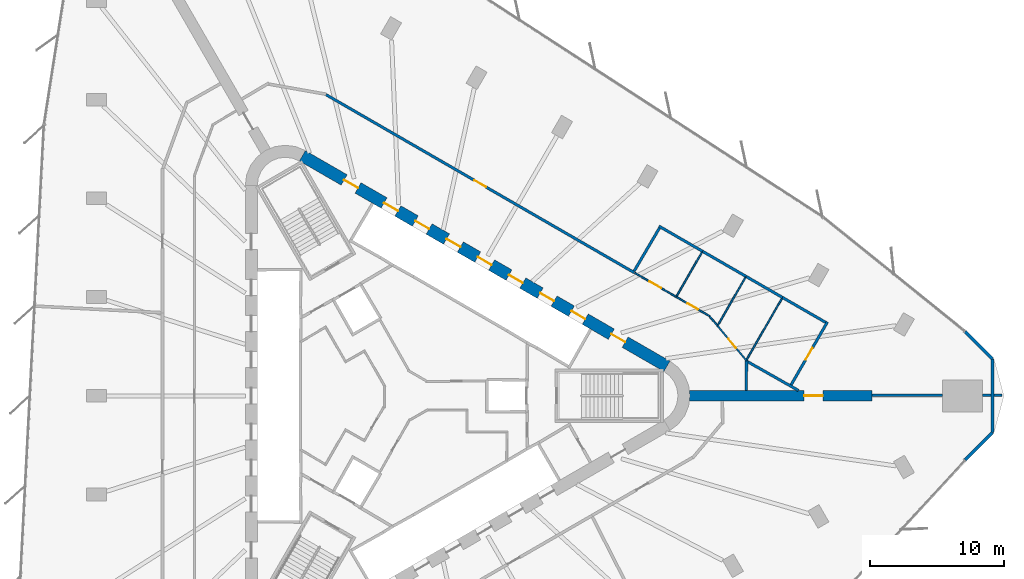
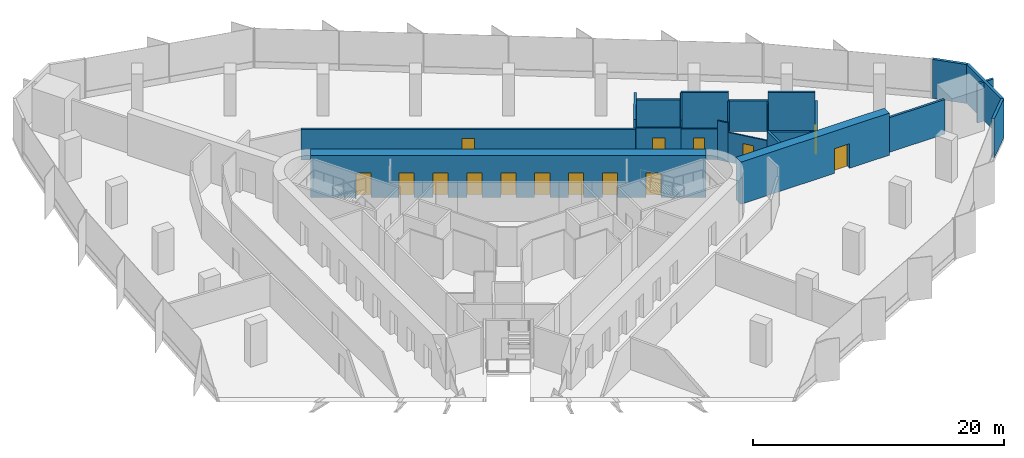
# One storey, part 12 of 14: 24 walls, 15 doors, 15 openings.
"""IFC4 building model written with IfcOpenShell, lengths in metres."""

from ifc_helpers import new_model, si_unit, direction, frame, frame_2d, origin, place, context, subcontext, project, spatial, rectangle, extrude, material, layer, layer_set, type_object, element, fill, save


model = new_model("IFC4")

# Units and contexts
model_context = context("Model", 3, precision=1e-05, world=origin(), true_north=direction((0.0, 1.0)))
body_context = subcontext(model_context, "Body", "Model", "MODEL_VIEW")
ifc_project = project(units=[si_unit("LENGTHUNIT", "METRE"), si_unit("AREAUNIT", "SQUARE_METRE"), si_unit("VOLUMEUNIT", "CUBIC_METRE"), si_unit("PLANEANGLEUNIT", "RADIAN"), si_unit("MASSUNIT", "GRAM", prefix="KILO")], contexts=[model_context])

# Site, building, storey
site_placement = place(None, origin())
site = spatial("IfcSite", under=ifc_project, at=site_placement, CompositionType="ELEMENT")
building_placement = place(site_placement, origin())
building = spatial("IfcBuilding", under=site, at=building_placement, Name="Tanit Gate Tower", CompositionType="ELEMENT")
storey_placement = place(building_placement, frame((0.0, 0.0, 74.199951171875)))
storey = spatial("IfcBuildingStorey", under=building, at=storey_placement, Name="L14", CompositionType="ELEMENT", Elevation=74.199951171875)

# Wall, opening, door
ifc_material_1 = material(Name="Concrete C60/75", Category="concrete")
ifc_layer_1 = layer(ifc_material_1, 0.800048828125)
ifc_layer_set_1 = layer_set([ifc_layer_1], Name="BUTTRESS FIN 800 C60/75")
wall_type_1 = type_object("IfcWallType", Name="BUTTRESS FIN 800 C60/75", PredefinedType="SHEAR", material=ifc_layer_set_1)
wall_1_placement = place(storey_placement, frame((21.14990234375, 0.0, 0.0), z_axis=(0.0, 0.0, 1.0), x_axis=(1.0, 0.0, 0.0)))
wall_1 = element("IfcWall", 1, at=wall_1_placement, inside=storey, type_object=wall_type_1, Name="BUTTRESS FIN", PredefinedType="SHEAR", context=body_context, shape_type="SweptSolid", body=[
    extrude(rectangle(XDim=13.669677734375, YDim=0.800048828125, at=frame_2d((6.8349609375, 0.0))), origin(), (0.0, 0.0, 1.0), 4.10009765625),
])
opening_1_placement = place(wall_1_placement, frame((8.60009765625, 0.0, 0.0)))
opening_1 = element("IfcOpeningElement", 2, at=opening_1_placement, cuts=wall_1, Name="Opening P14-S02-F-E-1", PredefinedType="OPENING", context=body_context, shape_type="SweptSolid", body=[
    extrude(rectangle(XDim=1.39990234375, YDim=2.39990234375, at=frame_2d((0.699951171875, 1.199951171875))), frame((0.0, 0.41015625, 0.0), z_axis=(0.0, -1.0, 0.0), x_axis=(1.0, 0.0, 0.0)), (0.0, 0.0, 1.0), 0.820068359375),
])
ifc_material_2 = material(Name="Timber door leaf", Category="wood")
door_type_1 = type_object("IfcDoorType", Name="INT-DOOR-FIN-PAIR-1400", OperationType="NOTDEFINED", PredefinedType="NOTDEFINED", material=ifc_material_2)
door_1_placement = place(opening_1_placement, origin())
door_1 = element("IfcDoor", 3, at=door_1_placement, inside=storey, type_object=door_type_1, Name="Door P14-S02-F-E-1", OperationType="DOUBLE_DOOR_SINGLE_SWING", OverallHeight=2.39990234375, OverallWidth=1.39990234375, PredefinedType="NOTDEFINED", context=body_context, shape_type="SweptSolid", body=[
    extrude(rectangle(XDim=1.39990234375, YDim=2.39990234375, at=frame_2d((0.699951171875, 1.199951171875))), frame((0.0, 0.02490234375, 0.0), z_axis=(0.0, -1.0, 0.0), x_axis=(1.0, 0.0, 0.0)), (0.0, 0.0, 1.0), 0.050048828125),
])
fill(opening_1, door_1)

# Wall, openings, doors
ifc_material_3 = material(Name="Concrete C60/75", Category="concrete")
ifc_layer_2 = layer(ifc_material_3, 0.89990234375)
ifc_layer_set_2 = layer_set([ifc_layer_2], Name="CORE WALL 900 C60/75")
wall_type_2 = type_object("IfcWallType", Name="CORE WALL 900 C60/75", PredefinedType="SHEAR", material=ifc_layer_set_2)
wall_2_placement = place(storey_placement, frame((19.47509765625, 2.20849609375, 0.0), z_axis=(0.0, 0.0, 1.0), x_axis=(-0.866028369851, 0.499994862586, 0.0)))
wall_2 = element("IfcWall", 4, at=wall_2_placement, inside=storey, type_object=wall_type_2, Name="CORE WALL", PredefinedType="SHEAR", context=body_context, shape_type="SweptSolid", body=[
    extrude(rectangle(XDim=31.523193359375, YDim=0.89990234375, at=frame_2d((15.76171875, 0.0))), origin(), (0.0, 0.0, 1.0), 4.10009765625),
])
opening_2_placement = place(wall_2_placement, frame((7.0615234375, 0.0, 0.0)))
opening_2 = element("IfcOpeningElement", 5, at=opening_2_placement, cuts=wall_2, Name="Opening LDLL8-S02", PredefinedType="OPENING", context=body_context, shape_type="SweptSolid", body=[
    extrude(rectangle(XDim=1.199951171875, YDim=2.39990234375, at=frame_2d((0.60009765625, 1.199951171875))), frame((0.0, 0.4599609375, 0.0), z_axis=(0.0, -1.0, 0.0), x_axis=(1.0, 0.0, 0.0)), (0.0, 0.0, 1.0), 0.919921875),
])
opening_3_placement = place(wall_2_placement, frame((9.76171875, 0.0, 0.0)))
opening_3 = element("IfcOpeningElement", 6, at=opening_3_placement, cuts=wall_2, Name="Opening LDLL9-S02", PredefinedType="OPENING", context=body_context, shape_type="SweptSolid", body=[
    extrude(rectangle(XDim=1.199951171875, YDim=2.39990234375, at=frame_2d((0.60009765625, 1.199951171875))), frame((0.0, 0.4599609375, 0.0), z_axis=(0.0, -1.0, 0.0), x_axis=(1.0, 0.0, 0.0)), (0.0, 0.0, 1.0), 0.919921875),
])
opening_4_placement = place(wall_2_placement, frame((12.461669921875, 0.0, 0.0)))
opening_4 = element("IfcOpeningElement", 7, at=opening_4_placement, cuts=wall_2, Name="Opening LDLL10-S02", PredefinedType="OPENING", context=body_context, shape_type="SweptSolid", body=[
    extrude(rectangle(XDim=1.199951171875, YDim=2.39990234375, at=frame_2d((0.60009765625, 1.199951171875))), frame((0.0, 0.4599609375, 0.0), z_axis=(0.0, -1.0, 0.0), x_axis=(1.0, 0.0, 0.0)), (0.0, 0.0, 1.0), 0.919921875),
])
opening_5_placement = place(wall_2_placement, frame((15.16162109375, 0.0, 0.0)))
opening_5 = element("IfcOpeningElement", 8, at=opening_5_placement, cuts=wall_2, Name="Opening LDSL1-S02", PredefinedType="OPENING", context=body_context, shape_type="SweptSolid", body=[
    extrude(rectangle(XDim=1.199951171875, YDim=2.39990234375, at=frame_2d((0.60009765625, 1.199951171875))), frame((0.0, 0.4599609375, 0.0), z_axis=(0.0, -1.0, 0.0), x_axis=(1.0, 0.0, 0.0)), (0.0, 0.0, 1.0), 0.919921875),
])
opening_6_placement = place(wall_2_placement, frame((17.861572265625, 0.0, 0.0)))
opening_6 = element("IfcOpeningElement", 9, at=opening_6_placement, cuts=wall_2, Name="Opening LDSL2-S02", PredefinedType="OPENING", context=body_context, shape_type="SweptSolid", body=[
    extrude(rectangle(XDim=1.199951171875, YDim=2.39990234375, at=frame_2d((0.60009765625, 1.199951171875))), frame((0.0, 0.4599609375, 0.0), z_axis=(0.0, -1.0, 0.0), x_axis=(1.0, 0.0, 0.0)), (0.0, 0.0, 1.0), 0.919921875),
])
opening_7_placement = place(wall_2_placement, frame((20.5615234375, 0.0, 0.0)))
opening_7 = element("IfcOpeningElement", 10, at=opening_7_placement, cuts=wall_2, Name="Opening LDSL3-S02", PredefinedType="OPENING", context=body_context, shape_type="SweptSolid", body=[
    extrude(rectangle(XDim=1.199951171875, YDim=2.39990234375, at=frame_2d((0.60009765625, 1.199951171875))), frame((0.0, 0.4599609375, 0.0), z_axis=(0.0, -1.0, 0.0), x_axis=(1.0, 0.0, 0.0)), (0.0, 0.0, 1.0), 0.919921875),
])
opening_8_placement = place(wall_2_placement, frame((23.26171875, 0.0, 0.0)))
opening_8 = element("IfcOpeningElement", 11, at=opening_8_placement, cuts=wall_2, Name="Opening LDSL4-S02", PredefinedType="OPENING", context=body_context, shape_type="SweptSolid", body=[
    extrude(rectangle(XDim=1.199951171875, YDim=2.39990234375, at=frame_2d((0.60009765625, 1.199951171875))), frame((0.0, 0.4599609375, 0.0), z_axis=(0.0, -1.0, 0.0), x_axis=(1.0, 0.0, 0.0)), (0.0, 0.0, 1.0), 0.919921875),
])
opening_9_placement = place(wall_2_placement, frame((3.611572265625, 0.0, 0.0)))
opening_9 = element("IfcOpeningElement", 12, at=opening_9_placement, cuts=wall_2, Name="Opening F12-S02-FL1", PredefinedType="OPENING", context=body_context, shape_type="SweptSolid", body=[
    extrude(rectangle(XDim=1.199951171875, YDim=2.39990234375, at=frame_2d((0.60009765625, 1.199951171875))), frame((0.0, 0.4599609375, 0.0), z_axis=(0.0, -1.0, 0.0), x_axis=(1.0, 0.0, 0.0)), (0.0, 0.0, 1.0), 0.919921875),
])
opening_10_placement = place(wall_2_placement, frame((26.711669921875, 0.0, 0.0)))
opening_10 = element("IfcOpeningElement", 13, at=opening_10_placement, cuts=wall_2, Name="Opening F12-S02-S2", PredefinedType="OPENING", context=body_context, shape_type="SweptSolid", body=[
    extrude(rectangle(XDim=1.199951171875, YDim=2.39990234375, at=frame_2d((0.60009765625, 1.199951171875))), frame((0.0, 0.4599609375, 0.0), z_axis=(0.0, -1.0, 0.0), x_axis=(1.0, 0.0, 0.0)), (0.0, 0.0, 1.0), 0.919921875),
])
ifc_material_4 = material(Name="Fire-rated steel door leaf", Category="steel")
door_type_2 = type_object("IfcDoorType", Name="INT-DOOR-FIRE-LOBBY-1200", OperationType="NOTDEFINED", PredefinedType="USERDEFINED", material=ifc_material_4)
door_2_placement = place(opening_9_placement, origin())
door_2 = element("IfcDoor", 14, at=door_2_placement, inside=storey, type_object=door_type_2, Name="Door F12-S02-FL1", ObjectType="FIRE DOOR", OperationType="SINGLE_SWING_LEFT", OverallHeight=2.39990234375, OverallWidth=1.199951171875, PredefinedType="USERDEFINED", context=body_context, shape_type="SweptSolid", body=[
    extrude(rectangle(XDim=1.199951171875, YDim=2.39990234375, at=frame_2d((0.60009765625, 1.199951171875))), frame((0.0, 0.02490234375, 0.0), z_axis=(0.0, -1.0, 0.0), x_axis=(1.0, 0.0, 0.0)), (0.0, 0.0, 1.0), 0.050048828125),
])
fill(opening_9, door_2)
door_3_placement = place(opening_10_placement, origin())
door_3 = element("IfcDoor", 15, at=door_3_placement, inside=storey, type_object=door_type_2, Name="Door F12-S02-S2", ObjectType="FIRE DOOR", OperationType="SINGLE_SWING_RIGHT", OverallHeight=2.39990234375, OverallWidth=1.199951171875, PredefinedType="USERDEFINED", context=body_context, shape_type="SweptSolid", body=[
    extrude(rectangle(XDim=1.199951171875, YDim=2.39990234375, at=frame_2d((0.60009765625, 1.199951171875))), frame((0.0, 0.02490234375, 0.0), z_axis=(0.0, -1.0, 0.0), x_axis=(1.0, 0.0, 0.0)), (0.0, 0.0, 1.0), 0.050048828125),
])
fill(opening_10, door_3)
ifc_material_5 = material(Name="Stainless steel sliding door leaf", Category="steel")
door_type_3 = type_object("IfcDoorType", Name="INT-DOOR-LANDING-1200", OperationType="NOTDEFINED", PredefinedType="USERDEFINED", material=ifc_material_5)
door_4_placement = place(opening_2_placement, origin())
door_4 = element("IfcDoor", 16, at=door_4_placement, inside=storey, type_object=door_type_3, Name="Door LDLL8-S02", ObjectType="LANDING DOOR", OperationType="SLIDING_TO_LEFT", OverallHeight=2.39990234375, OverallWidth=1.199951171875, PredefinedType="USERDEFINED", context=body_context, shape_type="SweptSolid", body=[
    extrude(rectangle(XDim=1.199951171875, YDim=2.39990234375, at=frame_2d((0.60009765625, 1.199951171875))), frame((0.0, 0.02490234375, 0.0), z_axis=(0.0, -1.0, 0.0), x_axis=(1.0, 0.0, 0.0)), (0.0, 0.0, 1.0), 0.050048828125),
])
fill(opening_2, door_4)
door_5_placement = place(opening_3_placement, origin())
door_5 = element("IfcDoor", 17, at=door_5_placement, inside=storey, type_object=door_type_3, Name="Door LDLL9-S02", ObjectType="LANDING DOOR", OperationType="SLIDING_TO_LEFT", OverallHeight=2.39990234375, OverallWidth=1.199951171875, PredefinedType="USERDEFINED", context=body_context, shape_type="SweptSolid", body=[
    extrude(rectangle(XDim=1.199951171875, YDim=2.39990234375, at=frame_2d((0.60009765625, 1.199951171875))), frame((0.0, 0.02490234375, 0.0), z_axis=(0.0, -1.0, 0.0), x_axis=(1.0, 0.0, 0.0)), (0.0, 0.0, 1.0), 0.050048828125),
])
fill(opening_3, door_5)
door_6_placement = place(opening_4_placement, origin())
door_6 = element("IfcDoor", 18, at=door_6_placement, inside=storey, type_object=door_type_3, Name="Door LDLL10-S02", ObjectType="LANDING DOOR", OperationType="SLIDING_TO_LEFT", OverallHeight=2.39990234375, OverallWidth=1.199951171875, PredefinedType="USERDEFINED", context=body_context, shape_type="SweptSolid", body=[
    extrude(rectangle(XDim=1.199951171875, YDim=2.39990234375, at=frame_2d((0.60009765625, 1.199951171875))), frame((0.0, 0.02490234375, 0.0), z_axis=(0.0, -1.0, 0.0), x_axis=(1.0, 0.0, 0.0)), (0.0, 0.0, 1.0), 0.050048828125),
])
fill(opening_4, door_6)
door_7_placement = place(opening_5_placement, origin())
door_7 = element("IfcDoor", 19, at=door_7_placement, inside=storey, type_object=door_type_3, Name="Door LDSL1-S02", ObjectType="LANDING DOOR", OperationType="SLIDING_TO_LEFT", OverallHeight=2.39990234375, OverallWidth=1.199951171875, PredefinedType="USERDEFINED", context=body_context, shape_type="SweptSolid", body=[
    extrude(rectangle(XDim=1.199951171875, YDim=2.39990234375, at=frame_2d((0.60009765625, 1.199951171875))), frame((0.0, 0.02490234375, 0.0), z_axis=(0.0, -1.0, 0.0), x_axis=(1.0, 0.0, 0.0)), (0.0, 0.0, 1.0), 0.050048828125),
])
fill(opening_5, door_7)
door_8_placement = place(opening_6_placement, origin())
door_8 = element("IfcDoor", 20, at=door_8_placement, inside=storey, type_object=door_type_3, Name="Door LDSL2-S02", ObjectType="LANDING DOOR", OperationType="SLIDING_TO_LEFT", OverallHeight=2.39990234375, OverallWidth=1.199951171875, PredefinedType="USERDEFINED", context=body_context, shape_type="SweptSolid", body=[
    extrude(rectangle(XDim=1.199951171875, YDim=2.39990234375, at=frame_2d((0.60009765625, 1.199951171875))), frame((0.0, 0.02490234375, 0.0), z_axis=(0.0, -1.0, 0.0), x_axis=(1.0, 0.0, 0.0)), (0.0, 0.0, 1.0), 0.050048828125),
])
fill(opening_6, door_8)
door_9_placement = place(opening_7_placement, origin())
door_9 = element("IfcDoor", 21, at=door_9_placement, inside=storey, type_object=door_type_3, Name="Door LDSL3-S02", ObjectType="LANDING DOOR", OperationType="SLIDING_TO_LEFT", OverallHeight=2.39990234375, OverallWidth=1.199951171875, PredefinedType="USERDEFINED", context=body_context, shape_type="SweptSolid", body=[
    extrude(rectangle(XDim=1.199951171875, YDim=2.39990234375, at=frame_2d((0.60009765625, 1.199951171875))), frame((0.0, 0.02490234375, 0.0), z_axis=(0.0, -1.0, 0.0), x_axis=(1.0, 0.0, 0.0)), (0.0, 0.0, 1.0), 0.050048828125),
])
fill(opening_7, door_9)
door_10_placement = place(opening_8_placement, origin())
door_10 = element("IfcDoor", 22, at=door_10_placement, inside=storey, type_object=door_type_3, Name="Door LDSL4-S02", ObjectType="LANDING DOOR", OperationType="SLIDING_TO_LEFT", OverallHeight=2.39990234375, OverallWidth=1.199951171875, PredefinedType="USERDEFINED", context=body_context, shape_type="SweptSolid", body=[
    extrude(rectangle(XDim=1.199951171875, YDim=2.39990234375, at=frame_2d((0.60009765625, 1.199951171875))), frame((0.0, 0.02490234375, 0.0), z_axis=(0.0, -1.0, 0.0), x_axis=(1.0, 0.0, 0.0)), (0.0, 0.0, 1.0), 0.050048828125),
])
fill(opening_8, door_10)

# Walls
ifc_material_6 = material(Name="Concrete C30/37 with bronze anodised aluminium cladding", Category="concrete")
ifc_layer_3 = layer(ifc_material_6, 0.239990234375)
ifc_layer_set_3 = layer_set([ifc_layer_3], Name="Facade wall bronze clad 240")
wall_type_3 = type_object("IfcWallType", Name="Facade wall bronze clad 240", PredefinedType="SOLIDWALL", material=ifc_layer_set_3)
wall_3_placement = place(storey_placement, frame((41.8017578125, -4.814453125, 0.0), z_axis=(0.0, 0.0, 1.0), x_axis=(0.707148907235, 0.707064652629, 0.0)))
element("IfcWall", 23, at=wall_3_placement, inside=storey, type_object=wall_type_3, Name="Bronze-clad facade wall L14 E.arc1", PredefinedType="SOLIDWALL", context=body_context, shape_type="SweptSolid", body=[
    extrude(rectangle(XDim=2.897705078125, YDim=0.239990234375, at=frame_2d((1.44873046875, 0.0))), origin(), (0.0, 0.0, 1.0), 3.800048828125),
])
wall_4_placement = place(storey_placement, frame((43.850830078125, -2.765625, 0.0), z_axis=(0.0, 0.0, 1.0), x_axis=(0.0, 1.0, 0.0)))
element("IfcWall", 24, at=wall_4_placement, inside=storey, type_object=wall_type_3, Name="Bronze-clad facade wall L14 E.arc2", PredefinedType="SOLIDWALL", context=body_context, shape_type="SweptSolid", body=[
    extrude(rectangle(XDim=5.53125, YDim=0.239990234375, at=frame_2d((2.765625, 0.0))), origin(), (0.0, 0.0, 1.0), 3.800048828125),
])
wall_5_placement = place(storey_placement, frame((43.850830078125, 2.765625, 0.0), z_axis=(0.0, 0.0, 1.0), x_axis=(-0.707106781187, 0.707106781187, 0.0)))
element("IfcWall", 25, at=wall_5_placement, inside=storey, type_object=wall_type_3, Name="Bronze-clad facade wall L14 E.arc3", PredefinedType="SOLIDWALL", context=body_context, shape_type="SweptSolid", body=[
    extrude(rectangle(XDim=2.888916015625, YDim=0.239990234375, at=frame_2d((1.4443359375, 0.0))), origin(), (0.0, 0.0, 1.0), 3.800048828125),
])

# Wall, opening, door
ifc_material_7 = material(Name="Fire-rated gypsum board partition")
ifc_layer_4 = layer(ifc_material_7, 0.199951171875)
ifc_layer_set_4 = layer_set([ifc_layer_4], Name="INT-WALL-COMPARTMENT")
wall_type_4 = type_object("IfcWallType", Name="INT-WALL-COMPARTMENT", PredefinedType="PARTITIONING", material=ifc_layer_set_4)
wall_6_placement = place(storey_placement, frame((17.02294921875, 9.224365234375, 0.0), z_axis=(0.0, 0.0, 1.0), x_axis=(-0.866024925705, 0.500000828058, 0.0)))
wall_6 = element("IfcWall", 26, at=wall_6_placement, inside=storey, type_object=wall_type_4, Name="Wall Compartment W096", PredefinedType="PARTITIONING", context=body_context, shape_type="SweptSolid", body=[
    extrude(rectangle(XDim=26.64697265625, YDim=0.199951171875, at=frame_2d((13.323486328125, 0.0))), origin(), (0.0, 0.0, 1.0), 2.97998046875),
])
opening_11_placement = place(wall_6_placement, frame((12.823486328125, 0.0, 0.0)))
opening_11 = element("IfcOpeningElement", 27, at=opening_11_placement, cuts=wall_6, Name="Opening F10-S02-21", PredefinedType="OPENING", context=body_context, shape_type="SweptSolid", body=[
    extrude(rectangle(XDim=1.0, YDim=2.10009765625, at=frame_2d((0.5, 1.050048828125))), frame((0.0, 0.10986328125, 0.0), z_axis=(0.0, -1.0, 0.0), x_axis=(1.0, 0.0, 0.0)), (0.0, 0.0, 1.0), 0.219970703125),
])
ifc_material_8 = material(Name="Fire-rated steel door leaf", Category="steel")
door_type_4 = type_object("IfcDoorType", Name="INT-DOOR-FIRE-1000", OperationType="NOTDEFINED", PredefinedType="USERDEFINED", material=ifc_material_8)
door_11_placement = place(opening_11_placement, origin())
door_11 = element("IfcDoor", 28, at=door_11_placement, inside=storey, type_object=door_type_4, Name="Door F10-S02-21", ObjectType="FIRE DOOR", OperationType="SINGLE_SWING_RIGHT", OverallHeight=2.10009765625, OverallWidth=1.0, PredefinedType="USERDEFINED", context=body_context, shape_type="SweptSolid", body=[
    extrude(rectangle(XDim=1.0, YDim=2.10009765625, at=frame_2d((0.5, 1.050048828125))), frame((0.0, 0.02490234375, 0.0), z_axis=(0.0, -1.0, 0.0), x_axis=(1.0, 0.0, 0.0)), (0.0, 0.0, 1.0), 0.050048828125),
])
fill(opening_11, door_11)

# Walls
wall_7_placement = place(storey_placement, frame((25.41845703125, 0.39990234375, 0.0), z_axis=(0.0, 0.0, 1.0), x_axis=(0.005737699208, 0.999983539268, 0.0)))
element("IfcWall", 29, at=wall_7_placement, inside=storey, type_object=wall_type_4, Name="Wall Compartment W097", PredefinedType="PARTITIONING", context=body_context, shape_type="SweptSolid", body=[
    extrude(rectangle(XDim=2.255126953125, YDim=0.199951171875, at=frame_2d((1.12744140625, 0.0))), origin(), (0.0, 0.0, 1.0), 3.800048828125),
])
wall_8_placement = place(storey_placement, frame((34.819580078125, 0.030029296875, 0.0), z_axis=(0.0, 0.0, 1.0), x_axis=(1.0, 0.0, 0.0)))
element("IfcWall", 30, at=wall_8_placement, inside=storey, type_object=wall_type_4, Name="Wall Compartment W114", PredefinedType="PARTITIONING", context=body_context, shape_type="SweptSolid", body=[
    extrude(rectangle(XDim=5.29638671875, YDim=0.199951171875, at=frame_2d((2.648193359375, 0.0))), origin(), (0.0, 0.0, 1.0), 3.3701171875),
])
wall_9_placement = place(storey_placement, frame((43.115966796875, 0.030029296875, 0.0), z_axis=(0.0, 0.0, 1.0), x_axis=(1.0, 0.0, 0.0)))
element("IfcWall", 31, at=wall_9_placement, inside=storey, type_object=wall_type_4, Name="Wall Compartment W115", PredefinedType="PARTITIONING", context=body_context, shape_type="SweptSolid", body=[
    extrude(rectangle(XDim=0.61474609375, YDim=0.199951171875, at=frame_2d((0.307373046875, 0.0))), origin(), (0.0, 0.0, 1.0), 3.800048828125),
])
wall_10_placement = place(storey_placement, frame((43.970703125, 0.030029296875, 0.0), z_axis=(0.0, 0.0, 1.0), x_axis=(1.0, 0.0, 0.0)))
element("IfcWall", 32, at=wall_10_placement, inside=storey, type_object=wall_type_4, Name="Wall Compartment W115x1", PredefinedType="PARTITIONING", context=body_context, shape_type="SweptSolid", body=[
    extrude(rectangle(XDim=0.613037109375, YDim=0.199951171875, at=frame_2d((0.306640625, 0.0))), origin(), (0.0, 0.0, 1.0), 3.800048828125),
])
wall_11_placement = place(storey_placement, frame((18.88037109375, 12.70166015625, 0.0), z_axis=(0.0, 0.0, 1.0), x_axis=(0.865994330033, -0.500053817454, 0.0)))
element("IfcWall", 33, at=wall_11_placement, inside=storey, type_object=wall_type_4, Name="Wall Compartment W116", PredefinedType="PARTITIONING", context=body_context, shape_type="SweptSolid", body=[
    extrude(rectangle(XDim=3.7626953125, YDim=0.199951171875, at=frame_2d((1.88134765625, 0.0))), origin(), (0.0, 0.0, 1.0), 3.080078125),
])
wall_12_placement = place(storey_placement, frame((22.138916015625, 10.820068359375, 0.0), z_axis=(0.0, 0.0, 1.0), x_axis=(0.866026773083, -0.499997628298, 0.0)))
element("IfcWall", 34, at=wall_12_placement, inside=storey, type_object=wall_type_4, Name="Wall Compartment W118", PredefinedType="PARTITIONING", context=body_context, shape_type="SweptSolid", body=[
    extrude(rectangle(XDim=3.76318359375, YDim=0.199951171875, at=frame_2d((1.881591796875, 0.0))), origin(), (0.0, 0.0, 1.0), 3.800048828125),
])
wall_13_placement = place(storey_placement, frame((25.39794921875, 8.9384765625, 0.0), z_axis=(0.0, 0.0, 1.0), x_axis=(0.86602447079, -0.500001615989, 0.0)))
element("IfcWall", 35, at=wall_13_placement, inside=storey, type_object=wall_type_4, Name="Wall Compartment W119", PredefinedType="PARTITIONING", context=body_context, shape_type="SweptSolid", body=[
    extrude(rectangle(XDim=3.154296875, YDim=0.199951171875, at=frame_2d((1.5771484375, 0.0))), origin(), (0.0, 0.0, 1.0), 2.97998046875),
])
wall_14_placement = place(storey_placement, frame((28.129638671875, 7.361328125, 0.0), z_axis=(0.0, 0.0, 1.0), x_axis=(0.866035156036, -0.499983108224, 0.0)))
element("IfcWall", 36, at=wall_14_placement, inside=storey, type_object=wall_type_4, Name="Wall Compartment W122", PredefinedType="PARTITIONING", context=body_context, shape_type="SweptSolid", body=[
    extrude(rectangle(XDim=3.729736328125, YDim=0.199951171875, at=frame_2d((1.86474609375, 0.0))), origin(), (0.0, 0.0, 1.0), 3.800048828125),
])
wall_15_placement = place(storey_placement, frame((17.021484375, 9.340576171875, 0.0), z_axis=(0.0, 0.0, 1.0), x_axis=(0.506583621903, 0.862190833876, 0.0)))
element("IfcWall", 37, at=wall_15_placement, inside=storey, type_object=wall_type_4, Name="Wall Compartment W117", PredefinedType="PARTITIONING", context=body_context, shape_type="SweptSolid", body=[
    extrude(rectangle(XDim=3.740234375, YDim=0.199951171875, at=frame_2d((1.8701171875, 0.0))), origin(), (0.0, 0.0, 1.0), 3.800048828125),
])
wall_16_placement = place(storey_placement, frame((25.4462890625, 2.594482421875, 0.0), z_axis=(0.0, 0.0, 1.0), x_axis=(0.869969631216, -0.493105303928, 0.0)))
element("IfcWall", 38, at=wall_16_placement, inside=storey, type_object=wall_type_4, Name="Wall Compartment W120", PredefinedType="PARTITIONING", context=body_context, shape_type="SweptSolid", body=[
    extrude(rectangle(XDim=4.450439453125, YDim=0.199951171875, at=frame_2d((2.22509765625, 0.0))), origin(), (0.0, 0.0, 1.0), 3.800048828125),
])

# Wall, opening, door
wall_17_placement = place(storey_placement, frame((28.7763671875, 0.822021484375, 0.0), z_axis=(0.0, 0.0, 1.0), x_axis=(0.499995686755, 0.866027894023, 0.0)))
wall_17 = element("IfcWall", 39, at=wall_17_placement, inside=storey, type_object=wall_type_4, Name="Wall Compartment W121", PredefinedType="PARTITIONING", context=body_context, shape_type="SweptSolid", body=[
    extrude(rectangle(XDim=5.43994140625, YDim=0.199951171875, at=frame_2d((2.719970703125, 0.0))), origin(), (0.0, 0.0, 1.0), 2.880126953125),
])
opening_12_placement = place(wall_17_placement, frame((2.169921875, 0.0, 0.0)))
opening_12 = element("IfcOpeningElement", 40, at=opening_12_placement, cuts=wall_17, Name="Opening F10-S02-18", PredefinedType="OPENING", context=body_context, shape_type="SweptSolid", body=[
    extrude(rectangle(XDim=1.0, YDim=2.10009765625, at=frame_2d((0.5, 1.050048828125))), frame((0.0, 0.10986328125, 0.0), z_axis=(0.0, -1.0, 0.0), x_axis=(1.0, 0.0, 0.0)), (0.0, 0.0, 1.0), 0.219970703125),
])
door_12_placement = place(opening_12_placement, origin())
door_12 = element("IfcDoor", 41, at=door_12_placement, inside=storey, type_object=door_type_4, Name="Door F10-S02-18", ObjectType="FIRE DOOR", OperationType="SINGLE_SWING_RIGHT", OverallHeight=2.10009765625, OverallWidth=1.0, PredefinedType="USERDEFINED", context=body_context, shape_type="SweptSolid", body=[
    extrude(rectangle(XDim=1.0, YDim=2.10009765625, at=frame_2d((0.5, 1.050048828125))), frame((0.0, 0.02490234375, 0.0), z_axis=(0.0, -1.0, 0.0), x_axis=(1.0, 0.0, 0.0)), (0.0, 0.0, 1.0), 0.050048828125),
])
fill(opening_12, door_12)

ifc_material_9 = material(Name="Gypsum board partition")
ifc_layer_5 = layer(ifc_material_9, 0.1201171875)
ifc_layer_set_5 = layer_set([ifc_layer_5], Name="INT-WALL-PARTITION")
wall_type_5 = type_object("IfcWallType", Name="INT-WALL-PARTITION", PredefinedType="PARTITIONING", material=ifc_layer_set_5)
wall_18_placement = place(storey_placement, frame((22.692626953125, 5.950927734375, 0.0), z_axis=(0.0, 0.0, 1.0), x_axis=(-0.866027933502, 0.499995618375, 0.0)))
wall_18 = element("IfcWall", 42, at=wall_18_placement, inside=storey, type_object=wall_type_5, Name="Wall Partition W099", PredefinedType="PARTITIONING", context=body_context, shape_type="SweptSolid", body=[
    extrude(rectangle(XDim=2.9140625, YDim=0.1201171875, at=frame_2d((1.45703125, 0.0))), origin(), (0.0, 0.0, 1.0), 2.97998046875),
])
opening_13_placement = place(wall_18_placement, frame((1.037109375, 0.0, 0.0)))
opening_13 = element("IfcOpeningElement", 43, at=opening_13_placement, cuts=wall_18, Name="Opening D09-S02-16", PredefinedType="OPENING", context=body_context, shape_type="SweptSolid", body=[
    extrude(rectangle(XDim=0.89990234375, YDim=2.10009765625, at=frame_2d((0.449951171875, 1.050048828125))), frame((0.0, 0.070068359375, 0.0), z_axis=(0.0, -1.0, 0.0), x_axis=(1.0, 0.0, 0.0)), (0.0, 0.0, 1.0), 0.14013671875),
])
ifc_material_10 = material(Name="Timber door leaf", Category="wood")
door_type_5 = type_object("IfcDoorType", Name="INT-DOOR-SINGLE-900", OperationType="NOTDEFINED", PredefinedType="NOTDEFINED", material=ifc_material_10)
door_13_placement = place(opening_13_placement, origin())
door_13 = element("IfcDoor", 44, at=door_13_placement, inside=storey, type_object=door_type_5, Name="Door D09-S02-16", OperationType="SINGLE_SWING_LEFT", OverallHeight=2.10009765625, OverallWidth=0.89990234375, PredefinedType="NOTDEFINED", context=body_context, shape_type="SweptSolid", body=[
    extrude(rectangle(XDim=0.89990234375, YDim=2.10009765625, at=frame_2d((0.449951171875, 1.050048828125))), frame((0.0, 0.02490234375, 0.0), z_axis=(0.0, -1.0, 0.0), x_axis=(1.0, 0.0, 0.0)), (0.0, 0.0, 1.0), 0.050048828125),
])
fill(opening_13, door_13)

wall_19_placement = place(storey_placement, frame((20.1689453125, 7.407958984375, 0.0), z_axis=(0.0, 0.0, 1.0), x_axis=(-0.866035089317, 0.49998322379, 0.0)))
wall_19 = element("IfcWall", 45, at=wall_19_placement, inside=storey, type_object=wall_type_5, Name="Wall Partition W098", PredefinedType="PARTITIONING", context=body_context, shape_type="SweptSolid", body=[
    extrude(rectangle(XDim=3.5927734375, YDim=0.1201171875, at=frame_2d((1.79638671875, 0.0))), origin(), (0.0, 0.0, 1.0), 3.080078125),
])
opening_14_placement = place(wall_19_placement, frame((1.29638671875, 0.0, 0.0)))
opening_14 = element("IfcOpeningElement", 46, at=opening_14_placement, cuts=wall_19, Name="Opening D10-S02-15", PredefinedType="OPENING", context=body_context, shape_type="SweptSolid", body=[
    extrude(rectangle(XDim=1.0, YDim=2.10009765625, at=frame_2d((0.5, 1.050048828125))), frame((0.0, 0.070068359375, 0.0), z_axis=(0.0, -1.0, 0.0), x_axis=(1.0, 0.0, 0.0)), (0.0, 0.0, 1.0), 0.14013671875),
])
ifc_material_11 = material(Name="Timber door leaf", Category="wood")
door_type_6 = type_object("IfcDoorType", Name="INT-DOOR-SINGLE-1000", OperationType="NOTDEFINED", PredefinedType="NOTDEFINED", material=ifc_material_11)
door_14_placement = place(opening_14_placement, origin())
door_14 = element("IfcDoor", 47, at=door_14_placement, inside=storey, type_object=door_type_6, Name="Door D10-S02-15", OperationType="SINGLE_SWING_LEFT", OverallHeight=2.10009765625, OverallWidth=1.0, PredefinedType="NOTDEFINED", context=body_context, shape_type="SweptSolid", body=[
    extrude(rectangle(XDim=1.0, YDim=2.10009765625, at=frame_2d((0.5, 1.050048828125))), frame((0.0, 0.02490234375, 0.0), z_axis=(0.0, -1.0, 0.0), x_axis=(1.0, 0.0, 0.0)), (0.0, 0.0, 1.0), 0.050048828125),
])
fill(opening_14, door_14)

# Wall
wall_20_placement = place(storey_placement, frame((23.26904296875, 5.232177734375, 0.0), z_axis=(0.0, 0.0, 1.0), x_axis=(-0.642823857783, 0.766014025893, 0.0)))
element("IfcWall", 48, at=wall_20_placement, inside=storey, type_object=wall_type_5, Name="Wall Partition W100", PredefinedType="PARTITIONING", context=body_context, shape_type="SweptSolid", body=[
    extrude(rectangle(XDim=0.91748046875, YDim=0.1201171875, at=frame_2d((0.458740234375, 0.0))), origin(), (0.0, 0.0, 1.0), 3.800048828125),
])

# Wall, opening, door
wall_21_placement = place(storey_placement, frame((25.4462890625, 2.614501953125, 0.0), z_axis=(0.0, 0.0, 1.0), x_axis=(-0.63946471851, 0.768820443134, 0.0)))
wall_21 = element("IfcWall", 49, at=wall_21_placement, inside=storey, type_object=wall_type_5, Name="Wall Partition W101", PredefinedType="PARTITIONING", context=body_context, shape_type="SweptSolid", body=[
    extrude(rectangle(XDim=3.40478515625, YDim=0.1201171875, at=frame_2d((1.702392578125, 0.0))), origin(), (0.0, 0.0, 1.0), 2.880126953125),
])
opening_15_placement = place(wall_21_placement, frame((1.25244140625, 0.0, 0.0)))
opening_15 = element("IfcOpeningElement", 50, at=opening_15_placement, cuts=wall_21, Name="Opening D09-S02-17", PredefinedType="OPENING", context=body_context, shape_type="SweptSolid", body=[
    extrude(rectangle(XDim=0.89990234375, YDim=2.10009765625, at=frame_2d((0.449951171875, 1.050048828125))), frame((0.0, 0.070068359375, 0.0), z_axis=(0.0, -1.0, 0.0), x_axis=(1.0, 0.0, 0.0)), (0.0, 0.0, 1.0), 0.14013671875),
])
door_15_placement = place(opening_15_placement, origin())
door_15 = element("IfcDoor", 51, at=door_15_placement, inside=storey, type_object=door_type_5, Name="Door D09-S02-17", OperationType="SINGLE_SWING_LEFT", OverallHeight=2.10009765625, OverallWidth=0.89990234375, PredefinedType="NOTDEFINED", context=body_context, shape_type="SweptSolid", body=[
    extrude(rectangle(XDim=0.89990234375, YDim=2.10009765625, at=frame_2d((0.449951171875, 1.050048828125))), frame((0.0, 0.02490234375, 0.0), z_axis=(0.0, -1.0, 0.0), x_axis=(1.0, 0.0, 0.0)), (0.0, 0.0, 1.0), 0.050048828125),
])
fill(opening_15, door_15)

# Walls
wall_22_placement = place(storey_placement, frame((22.0888671875, 10.733642578125, 0.0), z_axis=(0.0, 0.0, 1.0), x_axis=(-0.499966587594, -0.866044693586, 0.0)))
element("IfcWall", 52, at=wall_22_placement, inside=storey, type_object=wall_type_5, Name="Wall Partition W125", PredefinedType="PARTITIONING", context=body_context, shape_type="SweptSolid", body=[
    extrude(rectangle(XDim=3.780029296875, YDim=0.1201171875, at=frame_2d((1.89013671875, 0.0))), origin(), (0.0, 0.0, 1.0), 3.800048828125),
])
wall_23_placement = place(storey_placement, frame((25.34814453125, 8.851806640625, 0.0), z_axis=(0.0, 0.0, 1.0), x_axis=(-0.500051773299, -0.865995510393, 0.0)))
element("IfcWall", 53, at=wall_23_placement, inside=storey, type_object=wall_type_5, Name="Wall Partition W126", PredefinedType="PARTITIONING", context=body_context, shape_type="SweptSolid", body=[
    extrude(rectangle(XDim=4.10693359375, YDim=0.1201171875, at=frame_2d((2.053466796875, 0.0))), origin(), (0.0, 0.0, 1.0), 2.97998046875),
])
wall_24_placement = place(storey_placement, frame((28.07958984375, 7.27490234375, 0.0), z_axis=(0.0, 0.0, 1.0), x_axis=(-0.499984685083, -0.866034245675, 0.0)))
element("IfcWall", 54, at=wall_24_placement, inside=storey, type_object=wall_type_5, Name="Wall Partition W127", PredefinedType="PARTITIONING", context=body_context, shape_type="SweptSolid", body=[
    extrude(rectangle(XDim=5.319091796875, YDim=0.1201171875, at=frame_2d((2.65966796875, 0.0))), origin(), (0.0, 0.0, 1.0), 2.880126953125),
])

save(model, "model.ifc")
